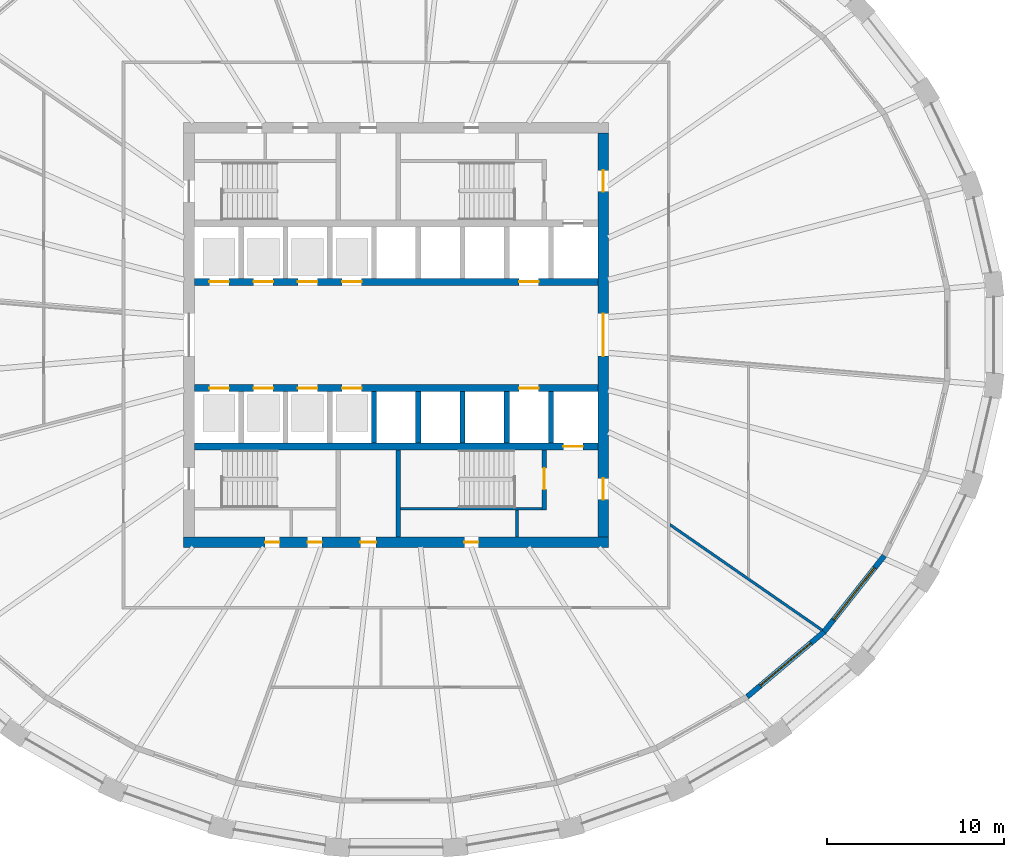
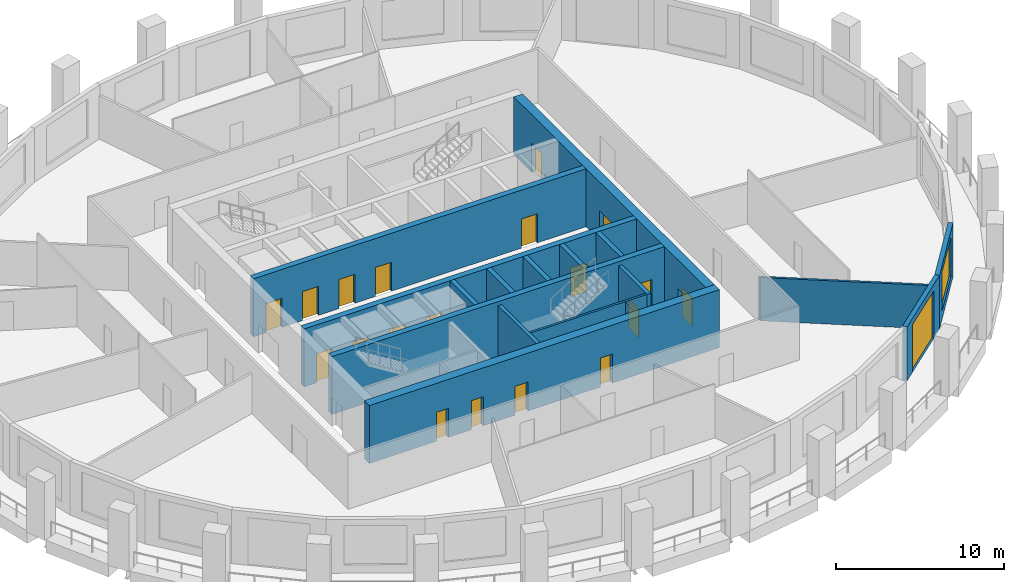
# One storey, part 4 of 10: 20 doors, 17 walls, 1 window, 21 openings.
"""IFC4 building model written with IfcOpenShell, lengths in metres."""

from ifc_helpers import new_model, si_unit, direction, frame, frame_2d, origin, place, context, subcontext, project, spatial, polyline, rectangle, outline, extrude, material, layer, layer_set, type_object, element, fill, save


model = new_model("IFC4")

# Units and contexts
model_context = context("Model", 3, precision=1e-05, world=origin(), true_north=direction((0.0, 1.0)))
body_context = subcontext(model_context, "Body", "Model", "MODEL_VIEW")
ifc_project = project(units=[si_unit("LENGTHUNIT", "METRE"), si_unit("AREAUNIT", "SQUARE_METRE"), si_unit("VOLUMEUNIT", "CUBIC_METRE"), si_unit("PLANEANGLEUNIT", "RADIAN"), si_unit("MASSUNIT", "GRAM", prefix="KILO")], contexts=[model_context])

# Site, building, storey
site_placement = place(None, origin())
site = spatial("IfcSite", under=ifc_project, at=site_placement, CompositionType="ELEMENT")
building_placement = place(site_placement, origin())
building = spatial("IfcBuilding", under=site, at=building_placement, Name="Halqa Exchange Tower", CompositionType="ELEMENT")
storey_placement = place(building_placement, frame((0.0, 0.0, 154.89990234375)))
storey = spatial("IfcBuildingStorey", under=building, at=storey_placement, Name="L35", CompositionType="ELEMENT", Elevation=154.89990234375)

# Walls
ifc_material_1 = material(Name="Fire-rated gypsum board")
ifc_layer_1 = layer(ifc_material_1, 0.14990234375)
ifc_layer_set_1 = layer_set([ifc_layer_1], Name="Fire-rated gypsum board")
wall_type_1 = type_object("IfcWallType", Name="Fire partition EI 60 150", PredefinedType="PARTITIONING", material=ifc_layer_set_1)
wall_1_placement = place(storey_placement, frame((15.4326171875, -10.6923828125, 0.0), z_axis=(0.0, 0.0, 1.0), x_axis=(0.821818585553, -0.569749254006, 0.0)))
element("IfcWall", 1, at=wall_1_placement, inside=storey, type_object=wall_type_1, Name="L35-PWL-023", PredefinedType="PARTITIONING", context=body_context, shape_type="SweptSolid", body=[
    extrude(outline(polyline([(0.103515625, -0.074951171875), (1.83154296875, -0.074951171875), (3.5595703125, -0.074951171875), (5.28759765625, -0.074951171875), (7.015625, -0.074951171875), (8.743896484375, -0.074951171875), (10.471923828125, -0.074951171875), (10.49267578125, 0.002197265625), (10.4970703125, 0.071533203125), (10.4970703125, 0.074951171875), (8.773193359375, 0.074951171875), (7.04931640625, 0.074951171875), (5.325439453125, 0.074951171875), (5.323974609375, 0.07373046875), (5.3232421875, 0.074951171875), (3.548828125, 0.074951171875), (1.7744140625, 0.074951171875), (0.0, 0.074951171875), (0.0, 0.074462890625), (0.103515625, -0.074951171875)])), origin(), (0.0, 0.0, 1.0), 3.147216796875),
])
ifc_material_2 = material(Name="Gypsum board")
ifc_layer_2 = layer(ifc_material_2, 0.14990234375)
ifc_layer_set_2 = layer_set([ifc_layer_2], Name="Gypsum board")
wall_type_2 = type_object("IfcWallType", Name="Penthouse riser wall 150 gypsum", PredefinedType="PARTITIONING", material=ifc_layer_set_2)
wall_2_placement = place(storey_placement, frame((6.824951171875, -11.39990234375, 0.0), z_axis=(0.0, 0.0, 1.0), x_axis=(0.0, 1.0, 0.0)))
element("IfcWall", 2, at=wall_2_placement, inside=storey, type_object=wall_type_2, Name="Firefighting lobby west wall S", PredefinedType="PARTITIONING", context=body_context, shape_type="SweptSolid", body=[
    extrude(rectangle(XDim=1.5, YDim=0.14990234375, at=frame_2d((0.75, 0.0))), origin(), (0.0, 0.0, 1.0), 3.900146484375),
])
ifc_material_3 = material(Name="Concrete C60/75", Category="concrete")
ifc_layer_3 = layer(ifc_material_3, 0.300048828125)
ifc_layer_set_3 = layer_set([ifc_layer_3], Name="Concrete C60/75")
wall_type_3 = type_object("IfcWallType", Name="RC core wall 300", PredefinedType="SHEAR", material=ifc_layer_set_3)
for number, where, z_axis, x_axis, name in (
    (3, (-1.25, -6.10009765625, 0.0), (0.0, 0.0, 1.0), (0.0, 1.0, 0.0), "Shaft divider S4"),
    (4, (1.25, -6.10009765625, 0.0), (0.0, 0.0, 1.0), (0.0, 1.0, 0.0), "Shaft divider S5"),
    (5, (3.75, -6.10009765625, 0.0), (0.0, 0.0, 1.0), (0.0, 1.0, 0.0), "Shaft divider S6"),
    (6, (6.25, -6.10009765625, 0.0), (0.0, 0.0, 1.0), (0.0, 1.0, 0.0), "Shaft divider S7"),
    (7, (8.75, -6.10009765625, 0.0), (0.0, 0.0, 1.0), (0.0, 1.0, 0.0), "Shaft divider S8"),
):
    element("IfcWall", number, at=place(storey_placement, frame(where, z_axis=z_axis, x_axis=x_axis)), inside=storey, type_object=wall_type_3, Name=name, PredefinedType="SHEAR", context=body_context, shape_type="SweptSolid", body=[
        extrude(rectangle(XDim=2.900146484375, YDim=0.300048828125, at=frame_2d((1.4501953125, 0.0))), origin(), (0.0, 0.0, 1.0), 4.2001953125),
    ])

# Wall, openings, doors
ifc_material_4 = material(Name="Concrete C70/85", Category="concrete")
ifc_layer_4 = layer(ifc_material_4, 0.39990234375)
ifc_layer_set_4 = layer_set([ifc_layer_4], Name="Concrete C70/85")
wall_type_4 = type_object("IfcWallType", Name="RC core wall 400 C70/85", PredefinedType="SHEAR", material=ifc_layer_set_4)
wall_3_placement = place(storey_placement, frame((-11.39990234375, 3.0, 0.0), z_axis=(0.0, 0.0, 1.0), x_axis=(1.0, 0.0, 0.0)))
wall_3 = element("IfcWall", 8, at=wall_3_placement, inside=storey, type_object=wall_type_4, Name="Lift row front wall N", PredefinedType="SHEAR", context=body_context, shape_type="SweptSolid", body=[
    extrude(rectangle(XDim=22.7998046875, YDim=0.39990234375, at=frame_2d((11.39990234375, 0.0))), origin(), (0.0, 0.0, 1.0), 4.2001953125),
])
opening_1_placement = place(wall_3_placement, frame((0.85009765625, 0.0, 0.0)))
opening_1 = element("IfcOpeningElement", 9, at=opening_1_placement, cuts=wall_3, Name="Opening LD-LR1-T11", PredefinedType="OPENING", context=body_context, shape_type="SweptSolid", body=[
    extrude(rectangle(XDim=1.10009765625, YDim=2.10009765625, at=frame_2d((0.550048828125, 1.050048828125))), frame((0.0, 0.2119140625, 0.0), z_axis=(0.0, -1.0, 0.0), x_axis=(1.0, 0.0, 0.0)), (0.0, 0.0, 1.0), 0.423828125),
])
opening_2_placement = place(wall_3_placement, frame((3.35009765625, 0.0, 0.0)))
opening_2 = element("IfcOpeningElement", 10, at=opening_2_placement, cuts=wall_3, Name="Opening LD-LR2-T11", PredefinedType="OPENING", context=body_context, shape_type="SweptSolid", body=[
    extrude(rectangle(XDim=1.10009765625, YDim=2.10009765625, at=frame_2d((0.550048828125, 1.050048828125))), frame((0.0, 0.2119140625, 0.0), z_axis=(0.0, -1.0, 0.0), x_axis=(1.0, 0.0, 0.0)), (0.0, 0.0, 1.0), 0.423828125),
])
opening_3_placement = place(wall_3_placement, frame((5.85009765625, 0.0, 0.0)))
opening_3 = element("IfcOpeningElement", 11, at=opening_3_placement, cuts=wall_3, Name="Opening LD-LR3-T11", PredefinedType="OPENING", context=body_context, shape_type="SweptSolid", body=[
    extrude(rectangle(XDim=1.10009765625, YDim=2.10009765625, at=frame_2d((0.550048828125, 1.050048828125))), frame((0.0, 0.2119140625, 0.0), z_axis=(0.0, -1.0, 0.0), x_axis=(1.0, 0.0, 0.0)), (0.0, 0.0, 1.0), 0.423828125),
])
opening_4_placement = place(wall_3_placement, frame((8.35009765625, 0.0, 0.0)))
opening_4 = element("IfcOpeningElement", 12, at=opening_4_placement, cuts=wall_3, Name="Opening LD-LR4-T11", PredefinedType="OPENING", context=body_context, shape_type="SweptSolid", body=[
    extrude(rectangle(XDim=1.10009765625, YDim=2.10009765625, at=frame_2d((0.550048828125, 1.050048828125))), frame((0.0, 0.2119140625, 0.0), z_axis=(0.0, -1.0, 0.0), x_axis=(1.0, 0.0, 0.0)), (0.0, 0.0, 1.0), 0.423828125),
])
opening_5_placement = place(wall_3_placement, frame((18.35009765625, 0.0, 0.0)))
opening_5 = element("IfcOpeningElement", 13, at=opening_5_placement, cuts=wall_3, Name="Opening LD-SV1-T11", PredefinedType="OPENING", context=body_context, shape_type="SweptSolid", body=[
    extrude(rectangle(XDim=1.10009765625, YDim=2.10009765625, at=frame_2d((0.550048828125, 1.050048828125))), frame((0.0, 0.2119140625, 0.0), z_axis=(0.0, -1.0, 0.0), x_axis=(1.0, 0.0, 0.0)), (0.0, 0.0, 1.0), 0.423828125),
])
ifc_material_5 = material(Name="Stainless steel", Category="steel")
door_type_1 = type_object("IfcDoorType", Name="Lift landing door 1100 x 2100", OperationType="SLIDING_TO_LEFT", PredefinedType="DOOR", material=ifc_material_5)
door_1_placement = place(opening_1_placement, origin())
door_1 = element("IfcDoor", 14, at=door_1_placement, inside=storey, type_object=door_type_1, Name="Lift landing door LR1", OperationType="SLIDING_TO_LEFT", OverallHeight=2.10009765625, OverallWidth=1.10009765625, PredefinedType="DOOR", context=body_context, shape_type="SweptSolid", body=[
    extrude(rectangle(XDim=1.10009765625, YDim=2.10009765625, at=frame_2d((0.550048828125, 1.050048828125))), frame((0.0, 0.02490234375, 0.0), z_axis=(0.0, -1.0, 0.0), x_axis=(1.0, 0.0, 0.0)), (0.0, 0.0, 1.0), 0.050048828125),
])
fill(opening_1, door_1)
door_2_placement = place(opening_2_placement, origin())
door_2 = element("IfcDoor", 15, at=door_2_placement, inside=storey, type_object=door_type_1, Name="Lift landing door LR2", OperationType="SLIDING_TO_LEFT", OverallHeight=2.10009765625, OverallWidth=1.10009765625, PredefinedType="DOOR", context=body_context, shape_type="SweptSolid", body=[
    extrude(rectangle(XDim=1.10009765625, YDim=2.10009765625, at=frame_2d((0.550048828125, 1.050048828125))), frame((0.0, 0.02490234375, 0.0), z_axis=(0.0, -1.0, 0.0), x_axis=(1.0, 0.0, 0.0)), (0.0, 0.0, 1.0), 0.050048828125),
])
fill(opening_2, door_2)
door_3_placement = place(opening_3_placement, origin())
door_3 = element("IfcDoor", 16, at=door_3_placement, inside=storey, type_object=door_type_1, Name="Lift landing door LR3", OperationType="SLIDING_TO_LEFT", OverallHeight=2.10009765625, OverallWidth=1.10009765625, PredefinedType="DOOR", context=body_context, shape_type="SweptSolid", body=[
    extrude(rectangle(XDim=1.10009765625, YDim=2.10009765625, at=frame_2d((0.550048828125, 1.050048828125))), frame((0.0, 0.02490234375, 0.0), z_axis=(0.0, -1.0, 0.0), x_axis=(1.0, 0.0, 0.0)), (0.0, 0.0, 1.0), 0.050048828125),
])
fill(opening_3, door_3)
door_4_placement = place(opening_4_placement, origin())
door_4 = element("IfcDoor", 17, at=door_4_placement, inside=storey, type_object=door_type_1, Name="Lift landing door LR4", OperationType="SLIDING_TO_LEFT", OverallHeight=2.10009765625, OverallWidth=1.10009765625, PredefinedType="DOOR", context=body_context, shape_type="SweptSolid", body=[
    extrude(rectangle(XDim=1.10009765625, YDim=2.10009765625, at=frame_2d((0.550048828125, 1.050048828125))), frame((0.0, 0.02490234375, 0.0), z_axis=(0.0, -1.0, 0.0), x_axis=(1.0, 0.0, 0.0)), (0.0, 0.0, 1.0), 0.050048828125),
])
fill(opening_4, door_4)
door_5_placement = place(opening_5_placement, origin())
door_5 = element("IfcDoor", 18, at=door_5_placement, inside=storey, type_object=door_type_1, Name="Lift landing door SV1", OperationType="SLIDING_TO_LEFT", OverallHeight=2.10009765625, OverallWidth=1.10009765625, PredefinedType="DOOR", context=body_context, shape_type="SweptSolid", body=[
    extrude(rectangle(XDim=1.10009765625, YDim=2.10009765625, at=frame_2d((0.550048828125, 1.050048828125))), frame((0.0, 0.02490234375, 0.0), z_axis=(0.0, -1.0, 0.0), x_axis=(1.0, 0.0, 0.0)), (0.0, 0.0, 1.0), 0.050048828125),
])
fill(opening_5, door_5)

wall_4_placement = place(storey_placement, frame((-11.39990234375, -3.0, 0.0), z_axis=(0.0, 0.0, 1.0), x_axis=(1.0, 0.0, 0.0)))
wall_4 = element("IfcWall", 19, at=wall_4_placement, inside=storey, type_object=wall_type_4, Name="Lift row front wall S", PredefinedType="SHEAR", context=body_context, shape_type="SweptSolid", body=[
    extrude(rectangle(XDim=22.7998046875, YDim=0.39990234375, at=frame_2d((11.39990234375, 0.0))), origin(), (0.0, 0.0, 1.0), 4.2001953125),
])
opening_6_placement = place(wall_4_placement, frame((0.85009765625, 0.0, 0.0)))
opening_6 = element("IfcOpeningElement", 20, at=opening_6_placement, cuts=wall_4, Name="Opening LD-LR5-T11", PredefinedType="OPENING", context=body_context, shape_type="SweptSolid", body=[
    extrude(rectangle(XDim=1.10009765625, YDim=2.10009765625, at=frame_2d((0.550048828125, 1.050048828125))), frame((0.0, 0.2119140625, 0.0), z_axis=(0.0, -1.0, 0.0), x_axis=(1.0, 0.0, 0.0)), (0.0, 0.0, 1.0), 0.423828125),
])
opening_7_placement = place(wall_4_placement, frame((3.35009765625, 0.0, 0.0)))
opening_7 = element("IfcOpeningElement", 21, at=opening_7_placement, cuts=wall_4, Name="Opening LD-LR6-T11", PredefinedType="OPENING", context=body_context, shape_type="SweptSolid", body=[
    extrude(rectangle(XDim=1.10009765625, YDim=2.10009765625, at=frame_2d((0.550048828125, 1.050048828125))), frame((0.0, 0.2119140625, 0.0), z_axis=(0.0, -1.0, 0.0), x_axis=(1.0, 0.0, 0.0)), (0.0, 0.0, 1.0), 0.423828125),
])
opening_8_placement = place(wall_4_placement, frame((5.85009765625, 0.0, 0.0)))
opening_8 = element("IfcOpeningElement", 22, at=opening_8_placement, cuts=wall_4, Name="Opening LD-LR7-T11", PredefinedType="OPENING", context=body_context, shape_type="SweptSolid", body=[
    extrude(rectangle(XDim=1.10009765625, YDim=2.10009765625, at=frame_2d((0.550048828125, 1.050048828125))), frame((0.0, 0.2119140625, 0.0), z_axis=(0.0, -1.0, 0.0), x_axis=(1.0, 0.0, 0.0)), (0.0, 0.0, 1.0), 0.423828125),
])
opening_9_placement = place(wall_4_placement, frame((8.35009765625, 0.0, 0.0)))
opening_9 = element("IfcOpeningElement", 23, at=opening_9_placement, cuts=wall_4, Name="Opening LD-LR8-T11", PredefinedType="OPENING", context=body_context, shape_type="SweptSolid", body=[
    extrude(rectangle(XDim=1.10009765625, YDim=2.10009765625, at=frame_2d((0.550048828125, 1.050048828125))), frame((0.0, 0.2119140625, 0.0), z_axis=(0.0, -1.0, 0.0), x_axis=(1.0, 0.0, 0.0)), (0.0, 0.0, 1.0), 0.423828125),
])
opening_10_placement = place(wall_4_placement, frame((18.35009765625, 0.0, 0.0)))
opening_10 = element("IfcOpeningElement", 24, at=opening_10_placement, cuts=wall_4, Name="Opening LD-SV2-T11", PredefinedType="OPENING", context=body_context, shape_type="SweptSolid", body=[
    extrude(rectangle(XDim=1.10009765625, YDim=2.10009765625, at=frame_2d((0.550048828125, 1.050048828125))), frame((0.0, 0.2119140625, 0.0), z_axis=(0.0, -1.0, 0.0), x_axis=(1.0, 0.0, 0.0)), (0.0, 0.0, 1.0), 0.423828125),
])
door_6_placement = place(opening_6_placement, origin())
door_6 = element("IfcDoor", 25, at=door_6_placement, inside=storey, type_object=door_type_1, Name="Lift landing door LR5", OperationType="SLIDING_TO_LEFT", OverallHeight=2.10009765625, OverallWidth=1.10009765625, PredefinedType="DOOR", context=body_context, shape_type="SweptSolid", body=[
    extrude(rectangle(XDim=1.10009765625, YDim=2.10009765625, at=frame_2d((0.550048828125, 1.050048828125))), frame((0.0, 0.02490234375, 0.0), z_axis=(0.0, -1.0, 0.0), x_axis=(1.0, 0.0, 0.0)), (0.0, 0.0, 1.0), 0.050048828125),
])
fill(opening_6, door_6)
door_7_placement = place(opening_7_placement, origin())
door_7 = element("IfcDoor", 26, at=door_7_placement, inside=storey, type_object=door_type_1, Name="Lift landing door LR6", OperationType="SLIDING_TO_LEFT", OverallHeight=2.10009765625, OverallWidth=1.10009765625, PredefinedType="DOOR", context=body_context, shape_type="SweptSolid", body=[
    extrude(rectangle(XDim=1.10009765625, YDim=2.10009765625, at=frame_2d((0.550048828125, 1.050048828125))), frame((0.0, 0.02490234375, 0.0), z_axis=(0.0, -1.0, 0.0), x_axis=(1.0, 0.0, 0.0)), (0.0, 0.0, 1.0), 0.050048828125),
])
fill(opening_7, door_7)
door_8_placement = place(opening_8_placement, origin())
door_8 = element("IfcDoor", 27, at=door_8_placement, inside=storey, type_object=door_type_1, Name="Lift landing door LR7", OperationType="SLIDING_TO_LEFT", OverallHeight=2.10009765625, OverallWidth=1.10009765625, PredefinedType="DOOR", context=body_context, shape_type="SweptSolid", body=[
    extrude(rectangle(XDim=1.10009765625, YDim=2.10009765625, at=frame_2d((0.550048828125, 1.050048828125))), frame((0.0, 0.02490234375, 0.0), z_axis=(0.0, -1.0, 0.0), x_axis=(1.0, 0.0, 0.0)), (0.0, 0.0, 1.0), 0.050048828125),
])
fill(opening_8, door_8)
door_9_placement = place(opening_9_placement, origin())
door_9 = element("IfcDoor", 28, at=door_9_placement, inside=storey, type_object=door_type_1, Name="Lift landing door LR8", OperationType="SLIDING_TO_LEFT", OverallHeight=2.10009765625, OverallWidth=1.10009765625, PredefinedType="DOOR", context=body_context, shape_type="SweptSolid", body=[
    extrude(rectangle(XDim=1.10009765625, YDim=2.10009765625, at=frame_2d((0.550048828125, 1.050048828125))), frame((0.0, 0.02490234375, 0.0), z_axis=(0.0, -1.0, 0.0), x_axis=(1.0, 0.0, 0.0)), (0.0, 0.0, 1.0), 0.050048828125),
])
fill(opening_9, door_9)
door_10_placement = place(opening_10_placement, origin())
door_10 = element("IfcDoor", 29, at=door_10_placement, inside=storey, type_object=door_type_1, Name="Lift landing door SV2", OperationType="SLIDING_TO_LEFT", OverallHeight=2.10009765625, OverallWidth=1.10009765625, PredefinedType="DOOR", context=body_context, shape_type="SweptSolid", body=[
    extrude(rectangle(XDim=1.10009765625, YDim=2.10009765625, at=frame_2d((0.550048828125, 1.050048828125))), frame((0.0, 0.02490234375, 0.0), z_axis=(0.0, -1.0, 0.0), x_axis=(1.0, 0.0, 0.0)), (0.0, 0.0, 1.0), 0.050048828125),
])
fill(opening_10, door_10)

# Wall, opening, door
wall_5_placement = place(storey_placement, frame((-11.39990234375, -6.300048828125, 0.0), z_axis=(0.0, 0.0, 1.0), x_axis=(1.0, 0.0, 0.0)))
wall_5 = element("IfcWall", 30, at=wall_5_placement, inside=storey, type_object=wall_type_4, Name="Lift row back wall S", PredefinedType="SHEAR", context=body_context, shape_type="SweptSolid", body=[
    extrude(rectangle(XDim=22.7998046875, YDim=0.39990234375, at=frame_2d((11.39990234375, 0.0))), origin(), (0.0, 0.0, 1.0), 4.2001953125),
])
opening_11_placement = place(wall_5_placement, frame((20.85009765625, 0.0, 0.0)))
opening_11 = element("IfcOpeningElement", 31, at=opening_11_placement, cuts=wall_5, Name="Opening LD-FF2-T11", PredefinedType="OPENING", context=body_context, shape_type="SweptSolid", body=[
    extrude(rectangle(XDim=1.10009765625, YDim=2.10009765625, at=frame_2d((0.550048828125, 1.050048828125))), frame((0.0, 0.2119140625, 0.0), z_axis=(0.0, -1.0, 0.0), x_axis=(1.0, 0.0, 0.0)), (0.0, 0.0, 1.0), 0.423828125),
])
door_11_placement = place(opening_11_placement, origin())
door_11 = element("IfcDoor", 32, at=door_11_placement, inside=storey, type_object=door_type_1, Name="Lift landing door FF2", OperationType="SLIDING_TO_LEFT", OverallHeight=2.10009765625, OverallWidth=1.10009765625, PredefinedType="DOOR", context=body_context, shape_type="SweptSolid", body=[
    extrude(rectangle(XDim=1.10009765625, YDim=2.10009765625, at=frame_2d((0.550048828125, 1.050048828125))), frame((0.0, 0.02490234375, 0.0), z_axis=(0.0, -1.0, 0.0), x_axis=(1.0, 0.0, 0.0)), (0.0, 0.0, 1.0), 0.050048828125),
])
fill(opening_11, door_11)

# Wall, openings, doors
ifc_layer_5 = layer(ifc_material_4, 0.60009765625)
ifc_layer_set_5 = layer_set([ifc_layer_5], Name="Concrete C70/85")
wall_type_5 = type_object("IfcWallType", Name="RC core wall 600 C70/85", PredefinedType="SHEAR", material=ifc_layer_set_5)
wall_6_placement = place(storey_placement, frame((-12.0, -11.699951171875, 0.0), z_axis=(0.0, 0.0, 1.0), x_axis=(1.0, 0.0, 0.0)))
wall_6 = element("IfcWall", 33, at=wall_6_placement, inside=storey, type_object=wall_type_5, Name="Core wall south", PredefinedType="SHEAR", context=body_context, shape_type="SweptSolid", body=[
    extrude(rectangle(XDim=24.0, YDim=0.60009765625, at=frame_2d((12.0, 0.0))), origin(), (0.0, 0.0, 1.0), 4.2001953125),
])
opening_12_placement = place(wall_6_placement, frame((9.97509765625, 0.0, 0.0)))
opening_12 = element("IfcOpeningElement", 34, at=opening_12_placement, cuts=wall_6, Name="Opening T11-C25", PredefinedType="OPENING", context=body_context, shape_type="SweptSolid", body=[
    extrude(rectangle(XDim=0.89990234375, YDim=2.10009765625, at=frame_2d((0.449951171875, 1.050048828125))), frame((0.0, 0.31201171875, 0.0), z_axis=(0.0, -1.0, 0.0), x_axis=(1.0, 0.0, 0.0)), (0.0, 0.0, 1.0), 0.6240234375),
])
opening_13_placement = place(wall_6_placement, frame((4.60009765625, 0.0, 0.0)))
opening_13 = element("IfcOpeningElement", 35, at=opening_13_placement, cuts=wall_6, Name="Opening T11-C26", PredefinedType="OPENING", context=body_context, shape_type="SweptSolid", body=[
    extrude(rectangle(XDim=0.800048828125, YDim=2.10009765625, at=frame_2d((0.39990234375, 1.050048828125))), frame((0.0, 0.31201171875, 0.0), z_axis=(0.0, -1.0, 0.0), x_axis=(1.0, 0.0, 0.0)), (0.0, 0.0, 1.0), 0.6240234375),
])
opening_14_placement = place(wall_6_placement, frame((7.0, 0.0, 0.0)))
opening_14 = element("IfcOpeningElement", 36, at=opening_14_placement, cuts=wall_6, Name="Opening T11-C27", PredefinedType="OPENING", context=body_context, shape_type="SweptSolid", body=[
    extrude(rectangle(XDim=0.800048828125, YDim=2.10009765625, at=frame_2d((0.39990234375, 1.050048828125))), frame((0.0, 0.31201171875, 0.0), z_axis=(0.0, -1.0, 0.0), x_axis=(1.0, 0.0, 0.0)), (0.0, 0.0, 1.0), 0.6240234375),
])
opening_15_placement = place(wall_6_placement, frame((15.85009765625, 0.0, 0.0)))
opening_15 = element("IfcOpeningElement", 37, at=opening_15_placement, cuts=wall_6, Name="Opening T11-C28", PredefinedType="OPENING", context=body_context, shape_type="SweptSolid", body=[
    extrude(rectangle(XDim=0.800048828125, YDim=2.10009765625, at=frame_2d((0.39990234375, 1.050048828125))), frame((0.0, 0.31201171875, 0.0), z_axis=(0.0, -1.0, 0.0), x_axis=(1.0, 0.0, 0.0)), (0.0, 0.0, 1.0), 0.6240234375),
])
ifc_material_6 = material(Name="Timber fire door leaf", Category="wood")
door_type_2 = type_object("IfcDoorType", Name="Core room door FD30 900 x 2100", OperationType="SINGLE_SWING_LEFT", PredefinedType="DOOR", material=ifc_material_6)
door_12_placement = place(opening_12_placement, origin())
door_12 = element("IfcDoor", 38, at=door_12_placement, inside=storey, type_object=door_type_2, Name="Core room door", OperationType="SINGLE_SWING_RIGHT", OverallHeight=2.10009765625, OverallWidth=0.89990234375, PredefinedType="DOOR", context=body_context, shape_type="SweptSolid", body=[
    extrude(rectangle(XDim=0.89990234375, YDim=2.10009765625, at=frame_2d((0.449951171875, 1.050048828125))), frame((0.0, 0.02490234375, 0.0), z_axis=(0.0, -1.0, 0.0), x_axis=(1.0, 0.0, 0.0)), (0.0, 0.0, 1.0), 0.050048828125),
])
fill(opening_12, door_12)
ifc_material_7 = material(Name="Steel fire door leaf", Category="steel")
door_type_3 = type_object("IfcDoorType", Name="Riser door FD60 800 x 2100", OperationType="SINGLE_SWING_LEFT", PredefinedType="DOOR", material=ifc_material_7)
door_13_placement = place(opening_13_placement, origin())
door_13 = element("IfcDoor", 39, at=door_13_placement, inside=storey, type_object=door_type_3, Name="Core room door", OperationType="SINGLE_SWING_LEFT", OverallHeight=2.10009765625, OverallWidth=0.800048828125, PredefinedType="DOOR", context=body_context, shape_type="SweptSolid", body=[
    extrude(rectangle(XDim=0.800048828125, YDim=2.10009765625, at=frame_2d((0.39990234375, 1.050048828125))), frame((0.0, 0.02490234375, 0.0), z_axis=(0.0, -1.0, 0.0), x_axis=(1.0, 0.0, 0.0)), (0.0, 0.0, 1.0), 0.050048828125),
])
fill(opening_13, door_13)
door_14_placement = place(opening_14_placement, origin())
door_14 = element("IfcDoor", 40, at=door_14_placement, inside=storey, type_object=door_type_3, Name="Core room door", OperationType="SINGLE_SWING_RIGHT", OverallHeight=2.10009765625, OverallWidth=0.800048828125, PredefinedType="DOOR", context=body_context, shape_type="SweptSolid", body=[
    extrude(rectangle(XDim=0.800048828125, YDim=2.10009765625, at=frame_2d((0.39990234375, 1.050048828125))), frame((0.0, 0.02490234375, 0.0), z_axis=(0.0, -1.0, 0.0), x_axis=(1.0, 0.0, 0.0)), (0.0, 0.0, 1.0), 0.050048828125),
])
fill(opening_14, door_14)
door_15_placement = place(opening_15_placement, origin())
door_15 = element("IfcDoor", 41, at=door_15_placement, inside=storey, type_object=door_type_3, Name="Core room door", OperationType="SINGLE_SWING_LEFT", OverallHeight=2.10009765625, OverallWidth=0.800048828125, PredefinedType="DOOR", context=body_context, shape_type="SweptSolid", body=[
    extrude(rectangle(XDim=0.800048828125, YDim=2.10009765625, at=frame_2d((0.39990234375, 1.050048828125))), frame((0.0, 0.02490234375, 0.0), z_axis=(0.0, -1.0, 0.0), x_axis=(1.0, 0.0, 0.0)), (0.0, 0.0, 1.0), 0.050048828125),
])
fill(opening_15, door_15)

wall_7_placement = place(storey_placement, frame((11.699951171875, -11.39990234375, 0.0), z_axis=(0.0, 0.0, 1.0), x_axis=(0.0, 1.0, 0.0)))
wall_7 = element("IfcWall", 42, at=wall_7_placement, inside=storey, type_object=wall_type_5, Name="Core wall east", PredefinedType="SHEAR", context=body_context, shape_type="SweptSolid", body=[
    extrude(rectangle(XDim=22.7998046875, YDim=0.60009765625, at=frame_2d((11.39990234375, 0.0))), origin(), (0.0, 0.0, 1.0), 4.2001953125),
])
opening_16_placement = place(wall_7_placement, frame((10.199951171875, 0.0, 0.0)))
opening_16 = element("IfcOpeningElement", 43, at=opening_16_placement, cuts=wall_7, Name="Opening T11-C14", PredefinedType="OPENING", context=body_context, shape_type="SweptSolid", body=[
    extrude(rectangle(XDim=2.39990234375, YDim=2.10009765625, at=frame_2d((1.199951171875, 1.050048828125))), frame((0.0, 0.31201171875, 0.0), z_axis=(0.0, -1.0, 0.0), x_axis=(1.0, 0.0, 0.0)), (0.0, 0.0, 1.0), 0.6240234375),
])
opening_17_placement = place(wall_7_placement, frame((19.5, 0.0, 0.0)))
opening_17 = element("IfcOpeningElement", 44, at=opening_17_placement, cuts=wall_7, Name="Opening T11-C19", PredefinedType="OPENING", context=body_context, shape_type="SweptSolid", body=[
    extrude(rectangle(XDim=1.199951171875, YDim=2.10009765625, at=frame_2d((0.60009765625, 1.050048828125))), frame((0.0, 0.31201171875, 0.0), z_axis=(0.0, -1.0, 0.0), x_axis=(1.0, 0.0, 0.0)), (0.0, 0.0, 1.0), 0.6240234375),
])
opening_18_placement = place(wall_7_placement, frame((2.10009765625, 0.0, 0.0)))
opening_18 = element("IfcOpeningElement", 45, at=opening_18_placement, cuts=wall_7, Name="Opening T11-C20", PredefinedType="OPENING", context=body_context, shape_type="SweptSolid", body=[
    extrude(rectangle(XDim=1.199951171875, YDim=2.10009765625, at=frame_2d((0.60009765625, 1.050048828125))), frame((0.0, 0.31201171875, 0.0), z_axis=(0.0, -1.0, 0.0), x_axis=(1.0, 0.0, 0.0)), (0.0, 0.0, 1.0), 0.6240234375),
])
door_type_4 = type_object("IfcDoorType", Name="Firefighting lobby door FD90 1200 x 2100", OperationType="SINGLE_SWING_RIGHT", PredefinedType="DOOR", material=ifc_material_7)
door_16_placement = place(opening_17_placement, origin())
door_16 = element("IfcDoor", 46, at=door_16_placement, inside=storey, type_object=door_type_4, Name="Firefighting lobby door", OperationType="SINGLE_SWING_RIGHT", OverallHeight=2.10009765625, OverallWidth=1.199951171875, PredefinedType="DOOR", context=body_context, shape_type="SweptSolid", body=[
    extrude(rectangle(XDim=1.199951171875, YDim=2.10009765625, at=frame_2d((0.60009765625, 1.050048828125))), frame((0.0, 0.02490234375, 0.0), z_axis=(0.0, -1.0, 0.0), x_axis=(1.0, 0.0, 0.0)), (0.0, 0.0, 1.0), 0.050048828125),
])
fill(opening_17, door_16)
door_17_placement = place(opening_18_placement, origin())
door_17 = element("IfcDoor", 47, at=door_17_placement, inside=storey, type_object=door_type_4, Name="Firefighting lobby door", OperationType="SINGLE_SWING_LEFT", OverallHeight=2.10009765625, OverallWidth=1.199951171875, PredefinedType="DOOR", context=body_context, shape_type="SweptSolid", body=[
    extrude(rectangle(XDim=1.199951171875, YDim=2.10009765625, at=frame_2d((0.60009765625, 1.050048828125))), frame((0.0, 0.02490234375, 0.0), z_axis=(0.0, -1.0, 0.0), x_axis=(1.0, 0.0, 0.0)), (0.0, 0.0, 1.0), 0.050048828125),
])
fill(opening_18, door_17)
door_type_5 = type_object("IfcDoorType", Name="Lobby double door FD60 2400 x 2100", OperationType="DOUBLE_DOOR_SINGLE_SWING", PredefinedType="DOOR", material=ifc_material_7)
door_18_placement = place(opening_16_placement, origin())
door_18 = element("IfcDoor", 48, at=door_18_placement, inside=storey, type_object=door_type_5, Name="Lift lobby double door", OperationType="DOUBLE_DOOR_SINGLE_SWING", OverallHeight=2.10009765625, OverallWidth=2.39990234375, PredefinedType="DOOR", context=body_context, shape_type="SweptSolid", body=[
    extrude(rectangle(XDim=2.39990234375, YDim=2.10009765625, at=frame_2d((1.199951171875, 1.050048828125))), frame((0.0, 0.02490234375, 0.0), z_axis=(0.0, -1.0, 0.0), x_axis=(1.0, 0.0, 0.0)), (0.0, 0.0, 1.0), 0.050048828125),
])
fill(opening_16, door_18)

# Walls
ifc_material_8 = material(Name="Concrete C30/37", Category="concrete")
ifc_layer_6 = layer(ifc_material_8, 0.14990234375)
ifc_layer_set_6 = layer_set([ifc_layer_6], Name="Concrete C30/37")
wall_type_6 = type_object("IfcWallType", Name="RC stair wall 150 C30/37", PredefinedType="SHEAR", material=ifc_layer_set_6)
wall_8_placement = place(storey_placement, frame((0.25, -9.824951171875, 0.0), z_axis=(0.0, 0.0, 1.0), x_axis=(1.0, 0.0, 0.0)))
element("IfcWall", 49, at=wall_8_placement, inside=storey, type_object=wall_type_6, Name="Stair ST2 north wall S", PredefinedType="SHEAR", context=body_context, shape_type="SweptSolid", body=[
    extrude(rectangle(XDim=8.0, YDim=0.14990234375, at=frame_2d((4.0, 0.0))), origin(), (0.0, 0.0, 1.0), 3.900146484375),
])
ifc_layer_7 = layer(ifc_material_8, 0.25)
ifc_layer_set_7 = layer_set([ifc_layer_7], Name="Concrete C30/37")
wall_type_7 = type_object("IfcWallType", Name="RC stair wall 250 C30/37", PredefinedType="SHEAR", material=ifc_layer_set_7)
wall_9_placement = place(storey_placement, frame((0.125, -11.39990234375, 0.0), z_axis=(0.0, 0.0, 1.0), x_axis=(0.0, 1.0, 0.0)))
element("IfcWall", 50, at=wall_9_placement, inside=storey, type_object=wall_type_7, Name="Stair ST2 west wall S", PredefinedType="SHEAR", context=body_context, shape_type="SweptSolid", body=[
    extrude(rectangle(XDim=4.89990234375, YDim=0.25, at=frame_2d((2.449951171875, 0.0))), origin(), (0.0, 0.0, 1.0), 3.900146484375),
])

# Wall, opening, door
wall_10_placement = place(storey_placement, frame((8.375, -9.89990234375, 0.0), z_axis=(0.0, 0.0, 1.0), x_axis=(0.0, 1.0, 0.0)))
wall_10 = element("IfcWall", 51, at=wall_10_placement, inside=storey, type_object=wall_type_7, Name="Stair ST2 east wall S", PredefinedType="SHEAR", context=body_context, shape_type="SweptSolid", body=[
    extrude(rectangle(XDim=3.39990234375, YDim=0.25, at=frame_2d((1.699951171875, 0.0))), origin(), (0.0, 0.0, 1.0), 3.900146484375),
])
opening_19_placement = place(wall_10_placement, frame((1.175048828125, 0.0, 0.0)))
opening_19 = element("IfcOpeningElement", 52, at=opening_19_placement, cuts=wall_10, Name="Opening T11-C18", PredefinedType="OPENING", context=body_context, shape_type="SweptSolid", body=[
    extrude(rectangle(XDim=1.199951171875, YDim=2.10009765625, at=frame_2d((0.60009765625, 1.050048828125))), frame((0.0, 0.136962890625, 0.0), z_axis=(0.0, -1.0, 0.0), x_axis=(1.0, 0.0, 0.0)), (0.0, 0.0, 1.0), 0.27392578125),
])
door_type_6 = type_object("IfcDoorType", Name="Stair door FD90 1200 x 2100", OperationType="SINGLE_SWING_LEFT", PredefinedType="DOOR", material=ifc_material_7)
door_19_placement = place(opening_19_placement, origin())
door_19 = element("IfcDoor", 53, at=door_19_placement, inside=storey, type_object=door_type_6, Name="Stair door ST4", OperationType="SINGLE_SWING_RIGHT", OverallHeight=2.10009765625, OverallWidth=1.199951171875, PredefinedType="DOOR", context=body_context, shape_type="SweptSolid", body=[
    extrude(rectangle(XDim=1.199951171875, YDim=2.10009765625, at=frame_2d((0.60009765625, 1.050048828125))), frame((0.0, 0.02490234375, 0.0), z_axis=(0.0, -1.0, 0.0), x_axis=(1.0, 0.0, 0.0)), (0.0, 0.0, 1.0), 0.050048828125),
])
fill(opening_19, door_19)

ifc_material_9 = material(Name="Limestone cladding", Category="masonry")
ifc_layer_8 = layer(ifc_material_9, 0.0400390625)
ifc_material_10 = material(Name="Ventilated cavity")
ifc_layer_9 = layer(ifc_material_10, 0.030029296875, ventilated=True)
ifc_material_11 = material(Name="Mineral wool insulation")
ifc_layer_10 = layer(ifc_material_11, 0.10009765625)
ifc_layer_11 = layer(ifc_material_8, 0.10009765625)
ifc_material_12 = material(Name="Internal plaster")
ifc_layer_12 = layer(ifc_material_12, 0.030029296875)
ifc_layer_set_8 = layer_set([ifc_layer_8, ifc_layer_9, ifc_layer_10, ifc_layer_11, ifc_layer_12], Name="Stone-faced insulated wall 300")
wall_type_8 = type_object("IfcWallType", Name="Stone-faced insulated wall 300", PredefinedType="STANDARD", material=ifc_layer_set_8)
wall_11_placement = place(storey_placement, frame((19.8291015625, -20.434814453125, 0.0), z_axis=(0.0, 0.0, 1.0), x_axis=(0.764076096085, 0.645126126732, 0.0)))
wall_11 = element("IfcWall", 54, at=wall_11_placement, inside=storey, type_object=wall_type_8, Name="Glass-line wall 28", PredefinedType="STANDARD", context=body_context, shape_type="SweptSolid", body=[
    extrude(outline(polyline([(-0.01416015625, -0.14990234375), (5.690185546875, -0.14990234375), (5.659912109375, 0.14990234375), (0.01416015625, 0.14990234375), (-0.01416015625, -0.14990234375)])), origin(), (0.0, 0.0, 1.0), 3.900146484375),
])
opening_20_placement = place(wall_11_placement, frame((0.96240234375, 0.0, 0.0)))
opening_20 = element("IfcOpeningElement", 55, at=opening_20_placement, cuts=wall_11, Name="Opening LG-F2-07", PredefinedType="OPENING", context=body_context, shape_type="SweptSolid", body=[
    extrude(rectangle(XDim=3.75, YDim=3.449951171875, at=frame_2d((1.875, 1.72509765625))), frame((0.0, 0.162109375, 0.0), z_axis=(0.0, -1.0, 0.0), x_axis=(1.0, 0.0, 0.0)), (0.0, 0.0, 1.0), 0.323974609375),
])
ifc_material_13 = material(Name="Clear low-emissivity glass in aluminium frame", Category="aluminium")
door_type_7 = type_object("IfcDoorType", Name="Glazed sliding loggia door 3750 x 3450", OperationType="DOUBLE_DOOR_SLIDING", PredefinedType="DOOR", material=ifc_material_13)
door_20_placement = place(opening_20_placement, origin())
door_20 = element("IfcDoor", 56, at=door_20_placement, inside=storey, type_object=door_type_7, Name="Loggia door 7", OperationType="DOUBLE_DOOR_SLIDING", OverallHeight=3.449951171875, OverallWidth=3.75, PredefinedType="DOOR", context=body_context, shape_type="SweptSolid", body=[
    extrude(rectangle(XDim=3.75, YDim=3.449951171875, at=frame_2d((1.875, 1.72509765625))), frame((0.0, 0.02490234375, 0.0), z_axis=(0.0, -1.0, 0.0), x_axis=(1.0, 0.0, 0.0)), (0.0, 0.0, 1.0), 0.050048828125),
])
fill(opening_20, door_20)

# Wall, opening, window
wall_12_placement = place(storey_placement, frame((24.165283203125, -16.773681640625, 0.0), z_axis=(0.0, 0.0, 1.0), x_axis=(0.620577705153, 0.784144955902, 0.0)))
wall_12 = element("IfcWall", 57, at=wall_12_placement, inside=storey, type_object=wall_type_8, Name="Glass-line wall 29", PredefinedType="STANDARD", context=body_context, shape_type="SweptSolid", body=[
    extrude(outline(polyline([(-0.01513671875, -0.14990234375), (5.5087890625, -0.14990234375), (5.4765625, 0.14990234375), (0.01513671875, 0.14990234375), (-0.01513671875, -0.14990234375)])), origin(), (0.0, 0.0, 1.0), 3.900146484375),
])
opening_21_placement = place(wall_12_placement, frame((0.871337890625, 0.0, 0.60009765625)))
opening_21 = element("IfcOpeningElement", 58, at=opening_21_placement, cuts=wall_12, Name="Opening W-F2-29", PredefinedType="OPENING", context=body_context, shape_type="SweptSolid", body=[
    extrude(rectangle(XDim=3.75, YDim=2.85009765625, at=frame_2d((1.875, 1.425048828125))), frame((0.0, 0.162109375, 0.0), z_axis=(0.0, -1.0, 0.0), x_axis=(1.0, 0.0, 0.0)), (0.0, 0.0, 1.0), 0.323974609375),
])
window_type = type_object("IfcWindowType", Name="Fixed clear glazed window 3750 x 2850", PartitioningType="TRIPLE_PANEL_VERTICAL", PredefinedType="WINDOW", material=ifc_material_13)
window_placement = place(opening_21_placement, origin())
window = element("IfcWindow", 59, at=window_placement, inside=storey, type_object=window_type, Name="Window 2", OverallHeight=2.85009765625, OverallWidth=3.75, PartitioningType="TRIPLE_PANEL_VERTICAL", PredefinedType="WINDOW", context=body_context, shape_type="SweptSolid", body=[
    extrude(rectangle(XDim=3.75, YDim=2.85009765625, at=frame_2d((1.875, 1.425048828125))), frame((0.0, 0.030029296875, 0.0), z_axis=(0.0, -1.0, 0.0), x_axis=(1.0, 0.0, 0.0)), (0.0, 0.0, 1.0), 0.06005859375),
])
fill(opening_21, window)

save(model, "model.ifc")
